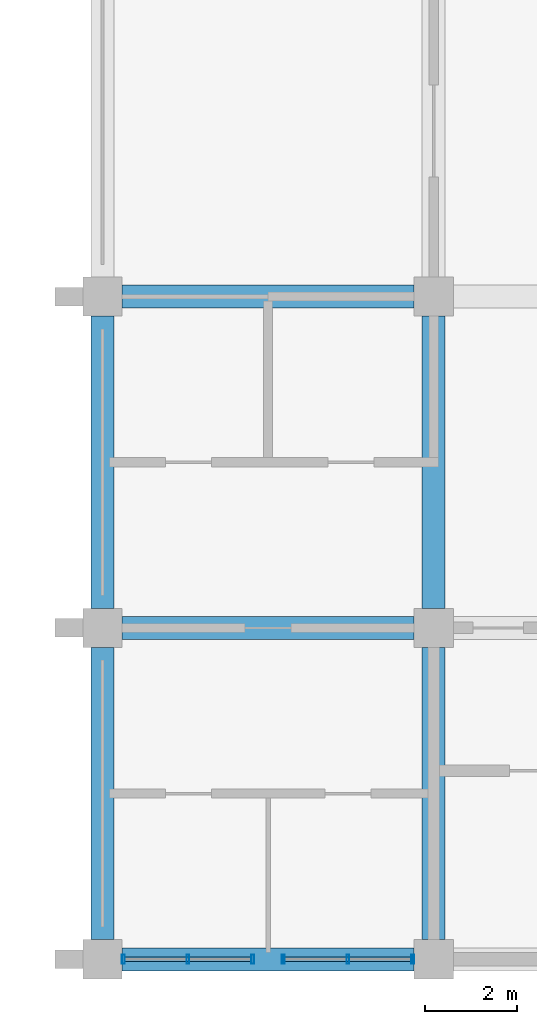
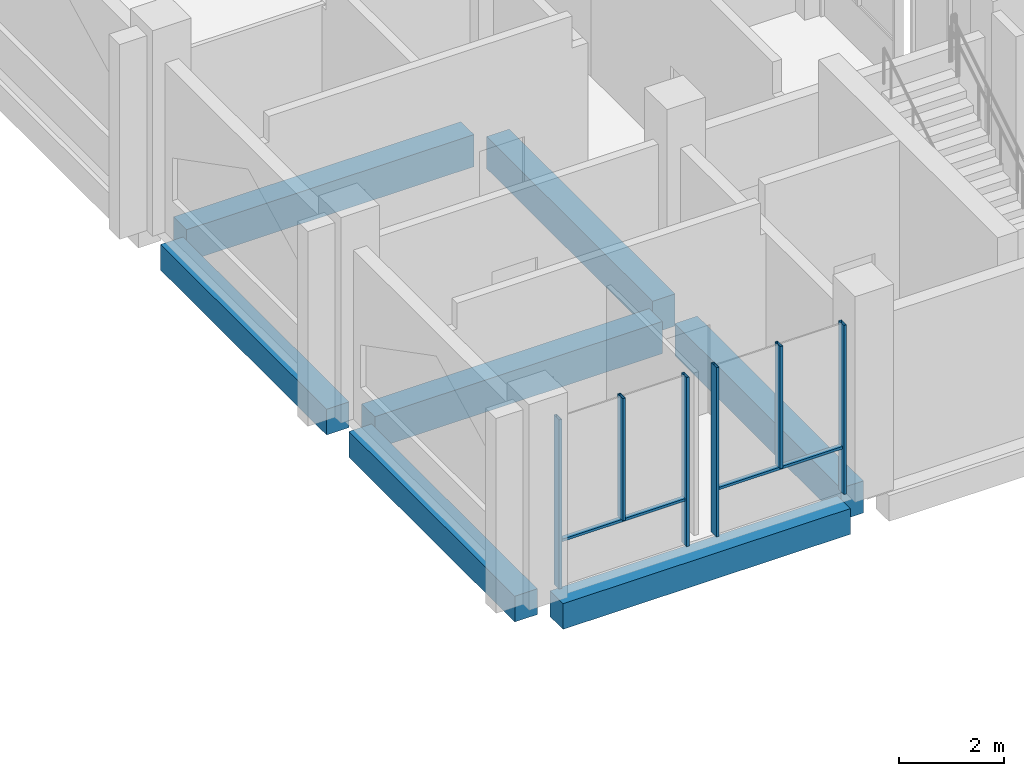
# One storey, part 15 of 40: 8 members, 7 beams, 2 elements without a shape of their own.
"""IFC4 building model written with IfcOpenShell, lengths in metres."""

from ifc_helpers import new_model, si_unit, direction, frame, origin, origin_2d, place, context, subcontext, project, spatial, rectangle, hollow_rectangle, extrude, material, material_profile, profile_set, type_object, element, aggregate, save


model = new_model("IFC4")

# Units and contexts
model_context = context("Model", 3, precision=1e-05, world=origin(), true_north=direction((0.0, 1.0)))
body_context = subcontext(model_context, "Body", "Model", "MODEL_VIEW")
ifc_project = project(units=[si_unit("LENGTHUNIT", "METRE"), si_unit("AREAUNIT", "SQUARE_METRE"), si_unit("VOLUMEUNIT", "CUBIC_METRE"), si_unit("PLANEANGLEUNIT", "RADIAN"), si_unit("MASSUNIT", "GRAM", prefix="KILO")], contexts=[model_context])

# Site, building, storey
site_placement = place(None, origin())
site = spatial("IfcSite", under=ifc_project, at=site_placement, CompositionType="ELEMENT")
building_placement = place(site_placement, origin())
building = spatial("IfcBuilding", under=site, at=building_placement, Name="Silangan Lancet Faculty of Sciences", CompositionType="ELEMENT")
storey_placement = place(building_placement, frame((0.0, 0.0, 16.800048828125)))
storey = spatial("IfcBuildingStorey", under=building, at=storey_placement, Name="L03", CompositionType="ELEMENT", Elevation=16.800048828125)

# Beams
ifc_material_1 = material(Name="Concrete C40/50", Category="concrete")
ifc_material_profile_1 = material_profile(ifc_material_1, rectangle(XDim=0.5, YDim=0.60009765625, at=origin_2d()), Name="RC 500x600")
ifc_profile_set_1 = profile_set([ifc_material_profile_1], Name="Concrete C40/50")
beam_type_1 = type_object("IfcBeamType", Name="BEAM RC 500x600", PredefinedType="BEAM", material=ifc_profile_set_1)
for number, where, z_axis, x_axis, name in (
    (1, (72.425048828125, 0.0, -0.550048828125), (1.0, 0.0, 0.0), (0.0, 1.0, 0.0), "BM-L03-11A-12A"),
    (2, (72.0, 0.425048828125, -0.550048828125), (0.0, 1.0, 0.0), (-1.0, 0.0, 0.0), "BM-L03-11A-11B"),
):
    element("IfcBeam", number, at=place(storey_placement, frame(where, z_axis=z_axis, x_axis=x_axis)), inside=storey, type_object=beam_type_1, Name=name, PredefinedType="BEAM", context=body_context, shape_type="SweptSolid", body=[
        extrude(rectangle(XDim=0.5, YDim=0.60009765625, at=origin_2d()), origin(), (0.0, 0.0, 1.0), 6.349853515625),
    ])
beam_1_placement = place(storey_placement, frame((72.0, 7.625, -0.550048828125), z_axis=(0.0, 1.0, 0.0), x_axis=(-1.0, 0.0, 0.0)))
element("IfcBeam", 3, at=beam_1_placement, inside=storey, type_object=beam_type_1, Name="BM-L03-11B-11C", PredefinedType="BEAM", context=body_context, shape_type="SweptSolid", body=[
    extrude(rectangle(XDim=0.5, YDim=0.60009765625, at=origin_2d()), origin(), (0.0, 0.0, 1.0), 6.35009765625),
])
ifc_material_2 = material(Name="Concrete C40/50", Category="concrete")
ifc_material_profile_2 = material_profile(ifc_material_2, rectangle(XDim=0.5, YDim=0.75, at=origin_2d()), Name="RC 500x750")
ifc_profile_set_2 = profile_set([ifc_material_profile_2], Name="Concrete C40/50")
beam_type_2 = type_object("IfcBeamType", Name="BEAM RC 500x750", PredefinedType="BEAM", material=ifc_profile_set_2)
for number, where, z_axis, x_axis, name in (
    (4, (72.425048828125, 7.199951171875, -0.625), (1.0, 0.0, 0.0), (0.0, 1.0, 0.0), "BM-L03-11B-12B"),
    (5, (72.425048828125, 14.39990234375, -0.625), (1.0, 0.0, 0.0), (0.0, 1.0, 0.0), "BM-L03-11C-12C"),
    (6, (79.199951171875, 0.425048828125, -0.625), (0.0, 1.0, 0.0), (-1.0, 0.0, 0.0), "BM-L03-12A-12B"),
):
    element("IfcBeam", number, at=place(storey_placement, frame(where, z_axis=z_axis, x_axis=x_axis)), inside=storey, type_object=beam_type_2, Name=name, PredefinedType="BEAM", context=body_context, shape_type="SweptSolid", body=[
        extrude(rectangle(XDim=0.5, YDim=0.75, at=origin_2d()), origin(), (0.0, 0.0, 1.0), 6.349853515625),
    ])
beam_2_placement = place(storey_placement, frame((79.199951171875, 7.625, -0.625), z_axis=(0.0, 1.0, 0.0), x_axis=(-1.0, 0.0, 0.0)))
element("IfcBeam", 7, at=beam_2_placement, inside=storey, type_object=beam_type_2, Name="BM-L03-12B-12C", PredefinedType="BEAM", context=body_context, shape_type="SweptSolid", body=[
    extrude(rectangle(XDim=0.5, YDim=0.75, at=origin_2d()), origin(), (0.0, 0.0, 1.0), 6.35009765625),
])

# Curtain wall, members
ifc_material_3 = material(Name="Aluminium framed curtain wall with insulated glass", Category="aluminium")
curtain_wall_type = type_object("IfcCurtainWallType", Name="CW1 Commons and east block glazing", PredefinedType="NOTDEFINED", material=ifc_material_3)
curtain_wall_1_placement = place(storey_placement, origin())
curtain_wall_1 = element("IfcCurtainWall", 8, at=curtain_wall_1_placement, inside=storey, type_object=curtain_wall_type, Name="CW1 East block south L03 bay 1", PredefinedType="NOTDEFINED")
ifc_material_4 = material(Name="Aluminium 6063-T6 extrusion", Category="aluminium")
ifc_material_profile_3 = material_profile(ifc_material_4, hollow_rectangle(XDim=0.06005859375, YDim=0.199951171875, WallThickness=0.00390625, at=origin_2d()), Name="AL BOX 60x200x4")
ifc_profile_set_3 = profile_set([ifc_material_profile_3], Name="Aluminium 6063-T6 extrusion")
member_type_1 = type_object("IfcMemberType", Name="CM1 Mullion 60x200", PredefinedType="MULLION", material=ifc_profile_set_3)
member_1_placement = place(storey_placement, frame((72.455078125, 0.0, 0.0), z_axis=(0.0, 0.0, 1.0), x_axis=(1.0, 0.0, 0.0)))
member_1 = element("IfcMember", 9, at=member_1_placement, type_object=member_type_1, Name="CW1 East block south L03 bay 1 mullion 1", PredefinedType="MULLION", context=body_context, shape_type="SweptSolid", body=[
    extrude(hollow_rectangle(XDim=0.06005859375, YDim=0.199951171875, WallThickness=0.00390625, at=origin_2d()), origin(), (0.0, 0.0, 1.0), 3.949951171875),
])
member_2_placement = place(storey_placement, frame((75.27001953125, 0.0, 0.0), z_axis=(0.0, 0.0, 1.0), x_axis=(1.0, 0.0, 0.0)))
member_2 = element("IfcMember", 10, at=member_2_placement, type_object=member_type_1, Name="CW1 East block south L03 bay 1 mullion 2", PredefinedType="MULLION", context=body_context, shape_type="SweptSolid", body=[
    extrude(hollow_rectangle(XDim=0.06005859375, YDim=0.199951171875, WallThickness=0.00390625, at=origin_2d()), origin(), (0.0, 0.0, 1.0), 3.949951171875),
])
member_3_placement = place(storey_placement, frame((73.862548828125, 0.0, 1.099853515625), z_axis=(0.0, 0.0, 1.0), x_axis=(1.0, 0.0, 0.0)))
member_3 = element("IfcMember", 11, at=member_3_placement, type_object=member_type_1, Name="CW1 East block south L03 bay 1 mullion 3", PredefinedType="MULLION", context=body_context, shape_type="SweptSolid", body=[
    extrude(hollow_rectangle(XDim=0.06005859375, YDim=0.199951171875, WallThickness=0.00390625, at=origin_2d()), origin(), (0.0, 0.0, 1.0), 2.85009765625),
])

curtain_wall_2_placement = place(storey_placement, origin())
curtain_wall_2 = element("IfcCurtainWall", 12, at=curtain_wall_2_placement, inside=storey, type_object=curtain_wall_type, Name="CW1 East block south L03 bay 2", PredefinedType="NOTDEFINED")
member_4_placement = place(storey_placement, frame((75.93017578125, 0.0, 0.0), z_axis=(0.0, 0.0, 1.0), x_axis=(1.0, 0.0, 0.0)))
member_4 = element("IfcMember", 13, at=member_4_placement, type_object=member_type_1, Name="CW1 East block south L03 bay 2 mullion 1", PredefinedType="MULLION", context=body_context, shape_type="SweptSolid", body=[
    extrude(hollow_rectangle(XDim=0.06005859375, YDim=0.199951171875, WallThickness=0.00390625, at=origin_2d()), origin(), (0.0, 0.0, 1.0), 3.949951171875),
])
member_5_placement = place(storey_placement, frame((78.7451171875, 0.0, 0.0), z_axis=(0.0, 0.0, 1.0), x_axis=(1.0, 0.0, 0.0)))
member_5 = element("IfcMember", 14, at=member_5_placement, type_object=member_type_1, Name="CW1 East block south L03 bay 2 mullion 2", PredefinedType="MULLION", context=body_context, shape_type="SweptSolid", body=[
    extrude(hollow_rectangle(XDim=0.06005859375, YDim=0.199951171875, WallThickness=0.00390625, at=origin_2d()), origin(), (0.0, 0.0, 1.0), 3.949951171875),
])
member_6_placement = place(storey_placement, frame((77.337646484375, 0.0, 1.099853515625), z_axis=(0.0, 0.0, 1.0), x_axis=(1.0, 0.0, 0.0)))
member_6 = element("IfcMember", 15, at=member_6_placement, type_object=member_type_1, Name="CW1 East block south L03 bay 2 mullion 3", PredefinedType="MULLION", context=body_context, shape_type="SweptSolid", body=[
    extrude(hollow_rectangle(XDim=0.06005859375, YDim=0.199951171875, WallThickness=0.00390625, at=origin_2d()), origin(), (0.0, 0.0, 1.0), 2.85009765625),
])

# Member
ifc_material_5 = material(Name="Aluminium 6063-T6 extrusion", Category="aluminium")
ifc_material_profile_4 = material_profile(ifc_material_5, hollow_rectangle(XDim=0.10009765625, YDim=0.06005859375, WallThickness=0.0029296875, at=origin_2d()), Name="AL BOX 100x60x3")
ifc_profile_set_4 = profile_set([ifc_material_profile_4], Name="Aluminium 6063-T6 extrusion")
member_type_2 = type_object("IfcMemberType", Name="CT1 Transom 100x60", PredefinedType="USERDEFINED", material=ifc_profile_set_4)
member_7_placement = place(storey_placement, frame((72.485107421875, 0.0, 1.070068359375), z_axis=(1.0, 0.0, 0.0), x_axis=(0.0, 1.0, 0.0)))
member_7 = element("IfcMember", 16, at=member_7_placement, type_object=member_type_2, Name="CW1 East block south L03 bay 1 transom 1", ObjectType="TRANSOM", PredefinedType="USERDEFINED", context=body_context, shape_type="SweptSolid", body=[
    extrude(hollow_rectangle(XDim=0.10009765625, YDim=0.06005859375, WallThickness=0.0029296875, at=origin_2d()), origin(), (0.0, 0.0, 1.0), 2.7548828125),
])

aggregate(curtain_wall_1, [member_1, member_2, member_3, member_7])

member_8_placement = place(storey_placement, frame((75.960205078125, 0.0, 1.070068359375), z_axis=(1.0, 0.0, 0.0), x_axis=(0.0, 1.0, 0.0)))
member_8 = element("IfcMember", 17, at=member_8_placement, type_object=member_type_2, Name="CW1 East block south L03 bay 2 transom 1", ObjectType="TRANSOM", PredefinedType="USERDEFINED", context=body_context, shape_type="SweptSolid", body=[
    extrude(hollow_rectangle(XDim=0.10009765625, YDim=0.06005859375, WallThickness=0.0029296875, at=origin_2d()), origin(), (0.0, 0.0, 1.0), 2.7548828125),
])

aggregate(curtain_wall_2, [member_4, member_5, member_6, member_8])

save(model, "model.ifc")
